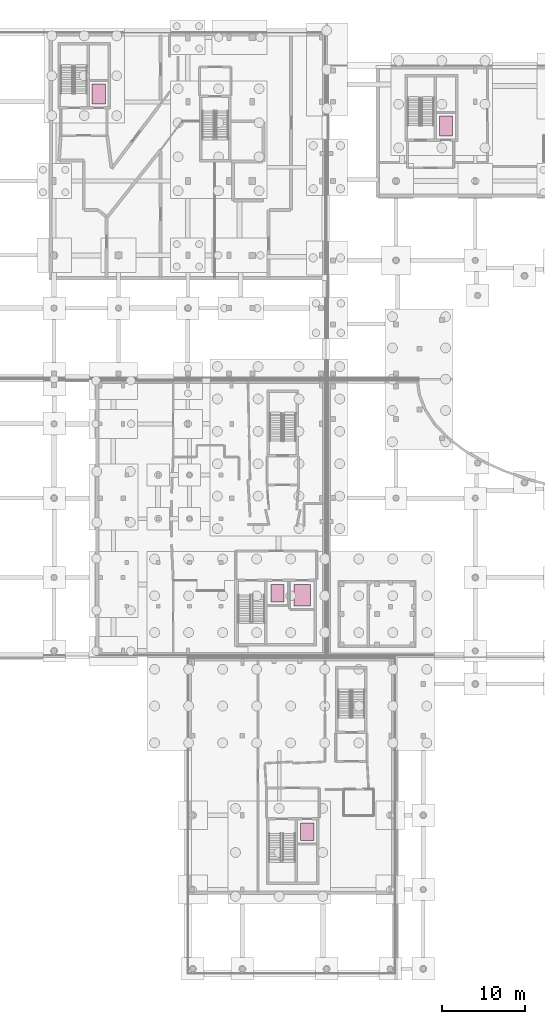
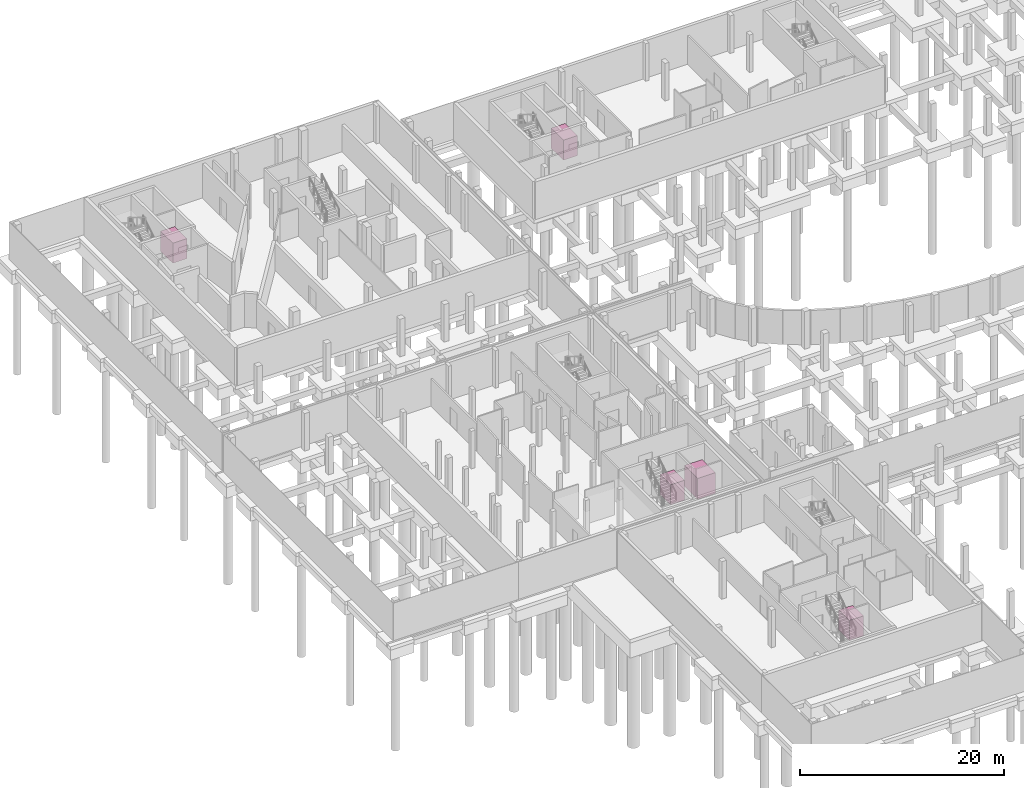
# One storey, part 40 of 40: 5 transport elements.
"""IFC4 building model written with IfcOpenShell, lengths in metres."""

from ifc_helpers import new_model, si_unit, direction, frame, origin, origin_2d, place, context, subcontext, project, spatial, rectangle, extrude, material, type_object, element, save


model = new_model("IFC4")

# Units and contexts
model_context = context("Model", 3, precision=1e-05, world=origin(), true_north=direction((0.0, 1.0)))
body_context = subcontext(model_context, "Body", "Model", "MODEL_VIEW")
ifc_project = project(units=[si_unit("LENGTHUNIT", "METRE"), si_unit("AREAUNIT", "SQUARE_METRE"), si_unit("VOLUMEUNIT", "CUBIC_METRE"), si_unit("PLANEANGLEUNIT", "RADIAN"), si_unit("MASSUNIT", "GRAM", prefix="KILO")], contexts=[model_context])

# Site, building, storey
site_placement = place(None, origin())
site = spatial("IfcSite", under=ifc_project, at=site_placement, CompositionType="ELEMENT")
building_placement = place(site_placement, origin())
building = spatial("IfcBuilding", under=site, at=building_placement, Name="Mzevani Central Library", CompositionType="ELEMENT")
storey_placement = place(building_placement, frame((0.0, 0.0, -4.5)))
storey = spatial("IfcBuildingStorey", under=building, at=storey_placement, Name="B1", CompositionType="ELEMENT", Elevation=-4.5)

# Transport elements
ifc_material = material(Name="Brushed stainless steel cab", Category="steel")
transport_element_type_1 = type_object("IfcTransportElementType", Name="Archival Book-Trolley Goods Lift 2500kg", PredefinedType="ELEVATOR", material=ifc_material)
transport_element_placement = place(storey_placement, frame((43.050048828125, 49.85009765625, 0.0), z_axis=(0.0, 0.0, 1.0), x_axis=(1.0, 0.0, 0.0)))
element("IfcTransportElement", 1, at=transport_element_placement, inside=storey, type_object=transport_element_type_1, Name="Elevator Car LF-G1", PredefinedType="ELEVATOR", context=body_context, shape_type="SweptSolid", body=[
    extrude(rectangle(XDim=2.0, YDim=2.60009765625, at=origin_2d()), origin(), (0.0, 0.0, 1.0), 2.5),
])
transport_element_type_2 = type_object("IfcTransportElementType", Name="Firefighting Stretcher Lift 1600kg", PredefinedType="ELEVATOR", material=ifc_material)
for number, where, z_axis, x_axis, name in (
    (2, (18.39990234375, 110.550048828125, 0.0), (0.0, 0.0, 1.0), (1.0, 0.0, 0.0), "Elevator Car LF-FF1"),
    (3, (60.449951171875, 106.64990234375, 0.0), (0.0, 0.0, 1.0), (1.0, 0.0, 0.0), "Elevator Car LF-FF2"),
):
    element("IfcTransportElement", number, at=place(storey_placement, frame(where, z_axis=z_axis, x_axis=x_axis)), inside=storey, type_object=transport_element_type_2, Name=name, PredefinedType="ELEVATOR", context=body_context, shape_type="SweptSolid", body=[
        extrude(rectangle(XDim=1.60009765625, YDim=2.39990234375, at=origin_2d()), origin(), (0.0, 0.0, 1.0), 2.39990234375),
    ])
transport_element_type_3 = type_object("IfcTransportElementType", Name="Public Passenger Lift 1350kg", PredefinedType="ELEVATOR", material=ifc_material)
for number, where, z_axis, x_axis, name in (
    (4, (43.64990234375, 21.199951171875, 0.0), (0.0, 0.0, 1.0), (1.0, 0.0, 0.0), "Elevator Car LF-P3"),
    (5, (40.050048828125, 50.10009765625, 0.0), (0.0, 0.0, 1.0), (1.0, 0.0, 0.0), "Elevator Car LF-P4"),
):
    element("IfcTransportElement", number, at=place(storey_placement, frame(where, z_axis=z_axis, x_axis=x_axis)), inside=storey, type_object=transport_element_type_3, Name=name, PredefinedType="ELEVATOR", context=body_context, shape_type="SweptSolid", body=[
        extrude(rectangle(XDim=1.60009765625, YDim=2.10009765625, at=origin_2d()), origin(), (0.0, 0.0, 1.0), 2.39990234375),
    ])

save(model, "model.ifc")
